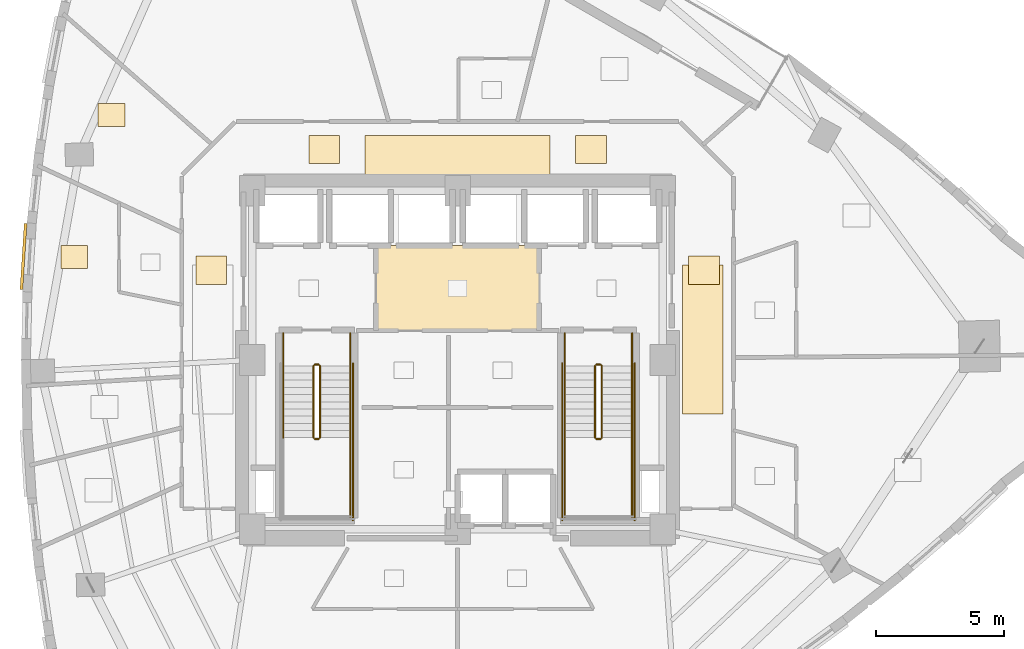
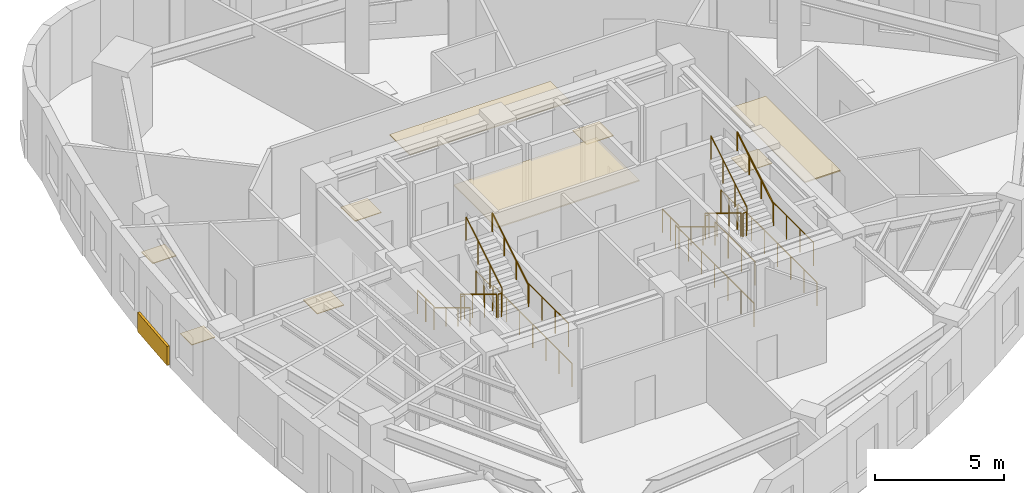
# One storey, part 13 of 14: 22 railings, 10 coverings.
"""IFC4 building model written with IfcOpenShell, lengths in metres."""

from ifc_helpers import new_model, si_unit, direction, frame, origin, origin_2d, place, context, subcontext, project, spatial, rectangle, circle, extrude, material, layer, layer_set, type_object, element, save


model = new_model("IFC4")

# Units and contexts
model_context = context("Model", 3, precision=1e-05, world=origin(), true_north=direction((0.0, 1.0)))
body_context = subcontext(model_context, "Body", "Model", "MODEL_VIEW")
ifc_project = project(units=[si_unit("LENGTHUNIT", "METRE"), si_unit("AREAUNIT", "SQUARE_METRE"), si_unit("VOLUMEUNIT", "CUBIC_METRE"), si_unit("PLANEANGLEUNIT", "RADIAN"), si_unit("MASSUNIT", "GRAM", prefix="KILO")], contexts=[model_context])

# Site, building, storey
site_placement = place(None, origin())
site = spatial("IfcSite", under=ifc_project, at=site_placement, CompositionType="ELEMENT")
building_placement = place(site_placement, origin())
building = spatial("IfcBuilding", under=site, at=building_placement, Name="Ndelora Gate Hotel", CompositionType="ELEMENT")
storey_placement = place(building_placement, frame((0.0, 0.0, 119.75)))
storey = spatial("IfcBuildingStorey", under=building, at=storey_placement, Name="L29", CompositionType="ELEMENT", Elevation=119.75)

# Coverings
ifc_material_1 = material(Name="Perforated Acoustic Gypsum Board", Category="gypsum")
ifc_layer_1 = layer(ifc_material_1, 0.054931640625)
ifc_layer_set_1 = layer_set([ifc_layer_1], Name="Perforated Acoustic Gypsum Board")
covering_type_1 = type_object("IfcCoveringType", Name="COV-CEIL-AC60", PredefinedType="CEILING", material=ifc_layer_set_1)
covering_1_placement = place(storey_placement, frame((0.0, 2.800048828125, 2.72265625), z_axis=(0.0, 0.0, 1.0), x_axis=(1.0, 0.0, 0.0)))
element("IfcCovering", 1, at=covering_1_placement, inside=storey, type_object=covering_type_1, Name="L29 Lift Lobby Acoustic Ceiling", PredefinedType="CEILING", context=body_context, shape_type="SweptSolid", body=[
    extrude(rectangle(XDim=6.39990234375, YDim=3.340087890625, at=origin_2d()), origin(), (0.0, 0.0, 1.0), 0.054931640625),
])
covering_2_placement = place(storey_placement, frame((0.0, 7.9599609375, 2.65234375), z_axis=(0.0, 0.0, 1.0), x_axis=(1.0, 0.0, 0.0)))
element("IfcCovering", 2, at=covering_2_placement, inside=storey, type_object=covering_type_1, Name="L29 Guest Corridor Acoustic Ceiling N", PredefinedType="CEILING", context=body_context, shape_type="SweptSolid", body=[
    extrude(rectangle(XDim=7.199951171875, YDim=1.580078125, at=origin_2d()), origin(), (0.0, 0.0, 1.0), 0.054931640625),
])
covering_3_placement = place(storey_placement, frame((9.550048828125, 0.800048828125, 2.65234375), z_axis=(0.0, 0.0, 1.0), x_axis=(1.0, 0.0, 0.0)))
element("IfcCovering", 3, at=covering_3_placement, inside=storey, type_object=covering_type_1, Name="L29 Guest Corridor Acoustic Ceiling E", PredefinedType="CEILING", context=body_context, shape_type="SweptSolid", body=[
    extrude(rectangle(XDim=1.580078125, YDim=5.800048828125, at=origin_2d()), origin(), (0.0, 0.0, 1.0), 0.054931640625),
])
ifc_material_2 = material(Name="Terracotta Fired Clay Brick Slip Cladding", Category="masonry")
ifc_layer_2 = layer(ifc_material_2, 0.110107421875)
ifc_layer_set_2 = layer_set([ifc_layer_2], Name="Terracotta Fired Clay Brick Slip Cladding")
covering_type_2 = type_object("IfcCoveringType", Name="COV-CLAD-BRK", PredefinedType="CLADDING", material=ifc_layer_set_2)
covering_4_placement = place(storey_placement, frame((-16.9208984375, 4.033203125, 0.10009765625), z_axis=(0.0, 0.0, 1.0), x_axis=(0.063661438132, 0.99797155335, 0.0)))
element("IfcCovering", 4, at=covering_4_placement, inside=storey, type_object=covering_type_2, Name="L29 Rounded-Corner Brick Cladding Band 13", PredefinedType="CLADDING", context=body_context, shape_type="SweptSolid", body=[
    extrude(rectangle(XDim=2.583984375, YDim=0.110107421875, at=origin_2d()), origin(), (0.0, 0.0, 1.0), 0.89990234375),
])
ifc_material_3 = material(Name="Engineered Highland Oak Parquet", Category="wood")
ifc_layer_3 = layer(ifc_material_3, 0.030029296875)
ifc_layer_set_3 = layer_set([ifc_layer_3], Name="Engineered Highland Oak Parquet")
covering_type_3 = type_object("IfcCoveringType", Name="COV-FLR-PARQ", PredefinedType="FLOORING", material=ifc_layer_set_3)
for number, where, z_axis, x_axis, name in (
    (5, (-13.49609375, 9.548828125, 0.0), (0.0, 0.0, 1.0), (1.0, 0.0, 0.0), "L29 Butler Finishing Kitchen Oak Parquet Flooring"),
    (6, (-14.9443359375, 4.015869140625, 0.0), (0.0, 0.0, 1.0), (1.0, 0.0, 0.0), "L29 Club Superior Guest Room 3206 Oak Parquet Flooring"),
):
    element("IfcCovering", number, at=place(storey_placement, frame(where, z_axis=z_axis, x_axis=x_axis)), inside=storey, type_object=covering_type_3, Name=name, PredefinedType="FLOORING", context=body_context, shape_type="SweptSolid", body=[
        extrude(rectangle(XDim=1.050048828125, YDim=0.89990234375, at=origin_2d()), origin(), (0.0, 0.0, 1.0), 0.030029296875),
    ])
ifc_material_4 = material(Name="Polished Highland Stone Terrazzo", Category="masonry")
ifc_layer_4 = layer(ifc_material_4, 0.034912109375)
ifc_layer_set_4 = layer_set([ifc_layer_4], Name="Polished Highland Stone Terrazzo")
covering_type_4 = type_object("IfcCoveringType", Name="COV-FLR-TERZ", PredefinedType="FLOORING", material=ifc_layer_set_4)
for number, where, z_axis, x_axis, name in (
    (7, (-5.199951171875, 8.199951171875, 0.0), (0.0, 0.0, 1.0), (1.0, 0.0, 0.0), "L29 Corridor Threshold Terrazzo Inlay NW"),
    (8, (5.199951171875, 8.199951171875, 0.0), (0.0, 0.0, 1.0), (1.0, 0.0, 0.0), "L29 Corridor Threshold Terrazzo Inlay NE"),
    (9, (-9.60009765625, 3.5, 0.0), (0.0, 0.0, 1.0), (1.0, 0.0, 0.0), "L29 Corridor Threshold Terrazzo Inlay W"),
    (10, (9.60009765625, 3.5, 0.0), (0.0, 0.0, 1.0), (1.0, 0.0, 0.0), "L29 Corridor Threshold Terrazzo Inlay E"),
):
    element("IfcCovering", number, at=place(storey_placement, frame(where, z_axis=z_axis, x_axis=x_axis)), inside=storey, type_object=covering_type_4, Name=name, PredefinedType="FLOORING", context=body_context, shape_type="SweptSolid", body=[
        extrude(rectangle(XDim=1.199951171875, YDim=1.10009765625, at=origin_2d()), origin(), (0.0, 0.0, 1.0), 0.034912109375),
    ])

# Railings
ifc_material_5 = material(Name="Painted Galvanized Steel Balustrade", Category="steel")
ifc_layer_5 = layer(ifc_material_5, 0.06005859375)
ifc_layer_set_5 = layer_set([ifc_layer_5], Name="Painted Galvanized Steel Balustrade")
railing_type_1 = type_object("IfcRailingType", Name="RL-STAIR-GD", PredefinedType="GUARDRAIL", material=ifc_layer_set_5)
railing_1_placement = place(storey_placement, frame((-5.6201171875, -0.22998046875, 0.17041015625)))
element("IfcRailing", 11, at=railing_1_placement, inside=storey, type_object=railing_type_1, Name="L29 ST4 stair guard 1", PredefinedType="GUARDRAIL", context=body_context, shape_type="SweptSolid", body=[
    extrude(circle(Radius=0.02392578125, at=origin_2d()), frame((0.0, 0.0, 1.10595703125), z_axis=(0.0, -0.854169791009, 0.51999420009), x_axis=(1.0, 0.0, 0.0)), (0.0, 0.0, 1.0), 3.278076171875),
    extrude(circle(Radius=0.02099609375, at=origin_2d()), origin(), (0.0, 0.0, 1.0), 1.081787109375),
    extrude(circle(Radius=0.02099609375, at=origin_2d()), frame((0.0, -0.933349609375, 0.568115234375)), (0.0, 0.0, 1.0), 1.081787109375),
    extrude(circle(Radius=0.02099609375, at=origin_2d()), frame((0.0, -1.86669921875, 1.136474609375)), (0.0, 0.0, 1.0), 1.081787109375),
    extrude(circle(Radius=0.02099609375, at=origin_2d()), frame((0.0, -2.800048828125, 1.70458984375)), (0.0, 0.0, 1.0), 1.081787109375),
])
railing_2_placement = place(storey_placement, frame((-5.570068359375, -3.080078125, 1.875)))
element("IfcRailing", 12, at=railing_2_placement, inside=storey, type_object=railing_type_1, Name="L29 ST4 stair guard 2", PredefinedType="GUARDRAIL", context=body_context, shape_type="SweptSolid", body=[
    extrude(circle(Radius=0.02392578125, at=origin_2d()), frame((0.0, 0.0, 1.10595703125), z_axis=(1.0, 0.0, 0.0), x_axis=(0.0, 1.0, 0.0)), (0.0, 0.0, 1.0), 0.16015625),
    extrude(circle(Radius=0.02099609375, at=origin_2d()), origin(), (0.0, 0.0, 1.0), 1.081787109375),
    extrude(circle(Radius=0.02099609375, at=origin_2d()), frame((0.16015625, 0.0, 0.0)), (0.0, 0.0, 1.0), 1.081787109375),
])
railing_3_placement = place(storey_placement, frame((-4.179931640625, -3.030029296875, 1.875)))
element("IfcRailing", 13, at=railing_3_placement, inside=storey, type_object=railing_type_1, Name="L29 ST4 stair guard 4", PredefinedType="GUARDRAIL", context=body_context, shape_type="SweptSolid", body=[
    extrude(circle(Radius=0.02392578125, at=origin_2d()), frame((0.0, 0.0, 1.10595703125), z_axis=(0.0, -1.0, 0.0), x_axis=(1.0, 0.0, 0.0)), (0.0, 0.0, 1.0), 3.119873046875),
    extrude(circle(Radius=0.02099609375, at=origin_2d()), origin(), (0.0, 0.0, 1.0), 1.081787109375),
    extrude(circle(Radius=0.02099609375, at=origin_2d()), frame((0.0, -1.0400390625, 0.0)), (0.0, 0.0, 1.0), 1.081787109375),
    extrude(circle(Radius=0.02099609375, at=origin_2d()), frame((0.0, -2.079833984375, 0.0)), (0.0, 0.0, 1.0), 1.081787109375),
    extrude(circle(Radius=0.02099609375, at=origin_2d()), frame((0.0, -3.119873046875, 0.0)), (0.0, 0.0, 1.0), 1.081787109375),
])
railing_4_placement = place(storey_placement, frame((-5.360107421875, -3.030029296875, 2.04541015625)))
element("IfcRailing", 14, at=railing_4_placement, inside=storey, type_object=railing_type_1, Name="L29 ST4 stair guard 6", PredefinedType="GUARDRAIL", context=body_context, shape_type="SweptSolid", body=[
    extrude(circle(Radius=0.02392578125, at=origin_2d()), frame((0.0, 0.0, 1.10595703125), z_axis=(0.0, 0.854169791009, 0.51999420009), x_axis=(-1.0, 0.0, 0.0)), (0.0, 0.0, 1.0), 3.278076171875),
    extrude(circle(Radius=0.02099609375, at=origin_2d()), origin(), (0.0, 0.0, 1.0), 1.081787109375),
    extrude(circle(Radius=0.02099609375, at=origin_2d()), frame((0.0, 0.933349609375, 0.568115234375)), (0.0, 0.0, 1.0), 1.081787109375),
    extrude(circle(Radius=0.02099609375, at=origin_2d()), frame((0.0, 1.86669921875, 1.136474609375)), (0.0, 0.0, 1.0), 1.081787109375),
    extrude(circle(Radius=0.02099609375, at=origin_2d()), frame((0.0, 2.800048828125, 1.70458984375)), (0.0, 0.0, 1.0), 1.081787109375),
])
railing_5_placement = place(storey_placement, frame((-5.570068359375, -0.179931640625, 0.0)))
element("IfcRailing", 15, at=railing_5_placement, inside=storey, type_object=railing_type_1, Name="L29 ST4 stair guard 7", PredefinedType="GUARDRAIL", context=body_context, shape_type="SweptSolid", body=[
    extrude(circle(Radius=0.02392578125, at=origin_2d()), frame((0.0, 0.0, 1.10595703125), z_axis=(1.0, 0.0, 0.0), x_axis=(0.0, 1.0, 0.0)), (0.0, 0.0, 1.0), 0.16015625),
    extrude(circle(Radius=0.02099609375, at=origin_2d()), origin(), (0.0, 0.0, 1.0), 1.081787109375),
    extrude(circle(Radius=0.02099609375, at=origin_2d()), frame((0.16015625, 0.0, 0.0)), (0.0, 0.0, 1.0), 1.081787109375),
])
for number, where, name in (
    (16, (-6.800048828125, 1.050048828125, 0.0), "L29 ST4 stair guard 8"),
    (17, (-4.179931640625, 1.050048828125, 0.0), "L29 ST4 stair guard 9"),
):
    element("IfcRailing", number, at=place(storey_placement, frame(where)), inside=storey, type_object=railing_type_1, Name=name, PredefinedType="GUARDRAIL", context=body_context, shape_type="SweptSolid", body=[
        extrude(circle(Radius=0.02392578125, at=origin_2d()), frame((0.0, 0.0, 1.10595703125), z_axis=(0.0, -1.0, 0.0), x_axis=(1.0, 0.0, 0.0)), (0.0, 0.0, 1.0), 1.280029296875),
        extrude(circle(Radius=0.02099609375, at=origin_2d()), origin(), (0.0, 0.0, 1.0), 1.081787109375),
        extrude(circle(Radius=0.02099609375, at=origin_2d()), frame((0.0, -0.64013671875, 0.0)), (0.0, 0.0, 1.0), 1.081787109375),
        extrude(circle(Radius=0.02099609375, at=origin_2d()), frame((0.0, -1.280029296875, 0.0)), (0.0, 0.0, 1.0), 1.081787109375),
    ])
railing_6_placement = place(storey_placement, frame((-4.080078125, -0.1298828125, 0.0)))
element("IfcRailing", 18, at=railing_6_placement, inside=storey, type_object=railing_type_1, Name="L29 ST4 stair guard 11", PredefinedType="GUARDRAIL", context=body_context, shape_type="SweptSolid", body=[
    extrude(circle(Radius=0.02392578125, at=origin_2d()), frame((0.0, 0.0, 1.10595703125), z_axis=(0.0, -1.0, 0.0), x_axis=(1.0, 0.0, 0.0)), (0.0, 0.0, 1.0), 6.1201171875),
    extrude(circle(Radius=0.02099609375, at=origin_2d()), origin(), (0.0, 0.0, 1.0), 1.081787109375),
    extrude(circle(Radius=0.02099609375, at=origin_2d()), frame((0.0, -1.02001953125, 0.0)), (0.0, 0.0, 1.0), 1.081787109375),
    extrude(circle(Radius=0.02099609375, at=origin_2d()), frame((0.0, -2.0400390625, 0.0)), (0.0, 0.0, 1.0), 1.081787109375),
    extrude(circle(Radius=0.02099609375, at=origin_2d()), frame((0.0, -3.06005859375, 0.0)), (0.0, 0.0, 1.0), 1.081787109375),
    extrude(circle(Radius=0.02099609375, at=origin_2d()), frame((0.0, -4.080078125, 0.0)), (0.0, 0.0, 1.0), 1.081787109375),
    extrude(circle(Radius=0.02099609375, at=origin_2d()), frame((0.0, -5.10009765625, 0.0)), (0.0, 0.0, 1.0), 1.081787109375),
    extrude(circle(Radius=0.02099609375, at=origin_2d()), frame((0.0, -6.1201171875, 0.0)), (0.0, 0.0, 1.0), 1.081787109375),
])
railing_7_placement = place(storey_placement, frame((5.360107421875, -0.22998046875, 0.17041015625)))
element("IfcRailing", 19, at=railing_7_placement, inside=storey, type_object=railing_type_1, Name="L29 ST5 stair guard 1", PredefinedType="GUARDRAIL", context=body_context, shape_type="SweptSolid", body=[
    extrude(circle(Radius=0.02392578125, at=origin_2d()), frame((0.0, 0.0, 1.10595703125), z_axis=(0.0, -0.854169791009, 0.51999420009), x_axis=(1.0, 0.0, 0.0)), (0.0, 0.0, 1.0), 3.278076171875),
    extrude(circle(Radius=0.02099609375, at=origin_2d()), origin(), (0.0, 0.0, 1.0), 1.081787109375),
    extrude(circle(Radius=0.02099609375, at=origin_2d()), frame((0.0, -0.933349609375, 0.568115234375)), (0.0, 0.0, 1.0), 1.081787109375),
    extrude(circle(Radius=0.02099609375, at=origin_2d()), frame((0.0, -1.86669921875, 1.136474609375)), (0.0, 0.0, 1.0), 1.081787109375),
    extrude(circle(Radius=0.02099609375, at=origin_2d()), frame((0.0, -2.800048828125, 1.70458984375)), (0.0, 0.0, 1.0), 1.081787109375),
])
railing_8_placement = place(storey_placement, frame((5.409912109375, -3.080078125, 1.875)))
element("IfcRailing", 20, at=railing_8_placement, inside=storey, type_object=railing_type_1, Name="L29 ST5 stair guard 2", PredefinedType="GUARDRAIL", context=body_context, shape_type="SweptSolid", body=[
    extrude(circle(Radius=0.02392578125, at=origin_2d()), frame((0.0, 0.0, 1.10595703125), z_axis=(1.0, 0.0, 0.0), x_axis=(0.0, 1.0, 0.0)), (0.0, 0.0, 1.0), 0.16015625),
    extrude(circle(Radius=0.02099609375, at=origin_2d()), origin(), (0.0, 0.0, 1.0), 1.081787109375),
    extrude(circle(Radius=0.02099609375, at=origin_2d()), frame((0.16015625, 0.0, 0.0)), (0.0, 0.0, 1.0), 1.081787109375),
])
for number, where, name in (
    (21, (4.179931640625, -3.030029296875, 1.875), "L29 ST5 stair guard 3"),
    (22, (6.800048828125, -3.030029296875, 1.875), "L29 ST5 stair guard 4"),
):
    element("IfcRailing", number, at=place(storey_placement, frame(where)), inside=storey, type_object=railing_type_1, Name=name, PredefinedType="GUARDRAIL", context=body_context, shape_type="SweptSolid", body=[
        extrude(circle(Radius=0.02392578125, at=origin_2d()), frame((0.0, 0.0, 1.10595703125), z_axis=(0.0, -1.0, 0.0), x_axis=(1.0, 0.0, 0.0)), (0.0, 0.0, 1.0), 3.119873046875),
        extrude(circle(Radius=0.02099609375, at=origin_2d()), origin(), (0.0, 0.0, 1.0), 1.081787109375),
        extrude(circle(Radius=0.02099609375, at=origin_2d()), frame((0.0, -1.0400390625, 0.0)), (0.0, 0.0, 1.0), 1.081787109375),
        extrude(circle(Radius=0.02099609375, at=origin_2d()), frame((0.0, -2.079833984375, 0.0)), (0.0, 0.0, 1.0), 1.081787109375),
        extrude(circle(Radius=0.02099609375, at=origin_2d()), frame((0.0, -3.119873046875, 0.0)), (0.0, 0.0, 1.0), 1.081787109375),
    ])
railing_9_placement = place(storey_placement, frame((5.6201171875, -3.030029296875, 2.04541015625)))
element("IfcRailing", 23, at=railing_9_placement, inside=storey, type_object=railing_type_1, Name="L29 ST5 stair guard 6", PredefinedType="GUARDRAIL", context=body_context, shape_type="SweptSolid", body=[
    extrude(circle(Radius=0.02392578125, at=origin_2d()), frame((0.0, 0.0, 1.10595703125), z_axis=(0.0, 0.854169791009, 0.51999420009), x_axis=(-1.0, 0.0, 0.0)), (0.0, 0.0, 1.0), 3.278076171875),
    extrude(circle(Radius=0.02099609375, at=origin_2d()), origin(), (0.0, 0.0, 1.0), 1.081787109375),
    extrude(circle(Radius=0.02099609375, at=origin_2d()), frame((0.0, 0.933349609375, 0.568115234375)), (0.0, 0.0, 1.0), 1.081787109375),
    extrude(circle(Radius=0.02099609375, at=origin_2d()), frame((0.0, 1.86669921875, 1.136474609375)), (0.0, 0.0, 1.0), 1.081787109375),
    extrude(circle(Radius=0.02099609375, at=origin_2d()), frame((0.0, 2.800048828125, 1.70458984375)), (0.0, 0.0, 1.0), 1.081787109375),
])
railing_10_placement = place(storey_placement, frame((5.409912109375, -0.179931640625, 0.0)))
element("IfcRailing", 24, at=railing_10_placement, inside=storey, type_object=railing_type_1, Name="L29 ST5 stair guard 7", PredefinedType="GUARDRAIL", context=body_context, shape_type="SweptSolid", body=[
    extrude(circle(Radius=0.02392578125, at=origin_2d()), frame((0.0, 0.0, 1.10595703125), z_axis=(1.0, 0.0, 0.0), x_axis=(0.0, 1.0, 0.0)), (0.0, 0.0, 1.0), 0.16015625),
    extrude(circle(Radius=0.02099609375, at=origin_2d()), origin(), (0.0, 0.0, 1.0), 1.081787109375),
    extrude(circle(Radius=0.02099609375, at=origin_2d()), frame((0.16015625, 0.0, 0.0)), (0.0, 0.0, 1.0), 1.081787109375),
])
for number, where, name in (
    (25, (4.179931640625, 1.050048828125, 0.0), "L29 ST5 stair guard 8"),
    (26, (6.800048828125, 1.050048828125, 0.0), "L29 ST5 stair guard 9"),
):
    element("IfcRailing", number, at=place(storey_placement, frame(where)), inside=storey, type_object=railing_type_1, Name=name, PredefinedType="GUARDRAIL", context=body_context, shape_type="SweptSolid", body=[
        extrude(circle(Radius=0.02392578125, at=origin_2d()), frame((0.0, 0.0, 1.10595703125), z_axis=(0.0, -1.0, 0.0), x_axis=(1.0, 0.0, 0.0)), (0.0, 0.0, 1.0), 1.280029296875),
        extrude(circle(Radius=0.02099609375, at=origin_2d()), origin(), (0.0, 0.0, 1.0), 1.081787109375),
        extrude(circle(Radius=0.02099609375, at=origin_2d()), frame((0.0, -0.64013671875, 0.0)), (0.0, 0.0, 1.0), 1.081787109375),
        extrude(circle(Radius=0.02099609375, at=origin_2d()), frame((0.0, -1.280029296875, 0.0)), (0.0, 0.0, 1.0), 1.081787109375),
    ])
for number, where, name in (
    (27, (4.080078125, -0.1298828125, 0.0), "L29 ST5 stair guard 10"),
    (28, (6.89990234375, -0.1298828125, 0.0), "L29 ST5 stair guard 11"),
):
    element("IfcRailing", number, at=place(storey_placement, frame(where)), inside=storey, type_object=railing_type_1, Name=name, PredefinedType="GUARDRAIL", context=body_context, shape_type="SweptSolid", body=[
        extrude(circle(Radius=0.02392578125, at=origin_2d()), frame((0.0, 0.0, 1.10595703125), z_axis=(0.0, -1.0, 0.0), x_axis=(1.0, 0.0, 0.0)), (0.0, 0.0, 1.0), 6.1201171875),
        extrude(circle(Radius=0.02099609375, at=origin_2d()), origin(), (0.0, 0.0, 1.0), 1.081787109375),
        extrude(circle(Radius=0.02099609375, at=origin_2d()), frame((0.0, -1.02001953125, 0.0)), (0.0, 0.0, 1.0), 1.081787109375),
        extrude(circle(Radius=0.02099609375, at=origin_2d()), frame((0.0, -2.0400390625, 0.0)), (0.0, 0.0, 1.0), 1.081787109375),
        extrude(circle(Radius=0.02099609375, at=origin_2d()), frame((0.0, -3.06005859375, 0.0)), (0.0, 0.0, 1.0), 1.081787109375),
        extrude(circle(Radius=0.02099609375, at=origin_2d()), frame((0.0, -4.080078125, 0.0)), (0.0, 0.0, 1.0), 1.081787109375),
        extrude(circle(Radius=0.02099609375, at=origin_2d()), frame((0.0, -5.10009765625, 0.0)), (0.0, 0.0, 1.0), 1.081787109375),
        extrude(circle(Radius=0.02099609375, at=origin_2d()), frame((0.0, -6.1201171875, 0.0)), (0.0, 0.0, 1.0), 1.081787109375),
    ])
ifc_material_6 = material(Name="Brushed Stainless Steel 316", Category="steel")
ifc_layer_6 = layer(ifc_material_6, 0.050048828125)
ifc_layer_set_6 = layer_set([ifc_layer_6], Name="Brushed Stainless Steel 316")
railing_type_2 = type_object("IfcRailingType", Name="RL-STAIR-HR", PredefinedType="HANDRAIL", material=ifc_layer_set_6)
railing_11_placement = place(storey_placement, frame((-6.800048828125, -0.22998046875, 0.17041015625)))
element("IfcRailing", 29, at=railing_11_placement, inside=storey, type_object=railing_type_2, Name="L29 ST4 stair handrail 1", PredefinedType="HANDRAIL", context=body_context, shape_type="SweptSolid", body=[
    extrude(circle(Radius=0.02392578125, at=origin_2d()), frame((0.0, 0.0, 0.8759765625), z_axis=(0.0, -0.854169791009, 0.51999420009), x_axis=(1.0, 0.0, 0.0)), (0.0, 0.0, 1.0), 3.278076171875),
    extrude(circle(Radius=0.02099609375, at=origin_2d()), origin(), (0.0, 0.0, 1.0), 0.851806640625),
    extrude(circle(Radius=0.02099609375, at=origin_2d()), frame((0.0, -0.933349609375, 0.568115234375)), (0.0, 0.0, 1.0), 0.851806640625),
    extrude(circle(Radius=0.02099609375, at=origin_2d()), frame((0.0, -1.86669921875, 1.136474609375)), (0.0, 0.0, 1.0), 0.851806640625),
    extrude(circle(Radius=0.02099609375, at=origin_2d()), frame((0.0, -2.800048828125, 1.70458984375)), (0.0, 0.0, 1.0), 0.851806640625),
])
railing_12_placement = place(storey_placement, frame((-4.179931640625, -3.030029296875, 2.04541015625)))
element("IfcRailing", 30, at=railing_12_placement, inside=storey, type_object=railing_type_2, Name="L29 ST4 stair handrail 2", PredefinedType="HANDRAIL", context=body_context, shape_type="SweptSolid", body=[
    extrude(circle(Radius=0.02392578125, at=origin_2d()), frame((0.0, 0.0, 0.8759765625), z_axis=(0.0, 0.854169791009, 0.51999420009), x_axis=(-1.0, 0.0, 0.0)), (0.0, 0.0, 1.0), 3.278076171875),
    extrude(circle(Radius=0.02099609375, at=origin_2d()), origin(), (0.0, 0.0, 1.0), 0.851806640625),
    extrude(circle(Radius=0.02099609375, at=origin_2d()), frame((0.0, 0.933349609375, 0.568115234375)), (0.0, 0.0, 1.0), 0.851806640625),
    extrude(circle(Radius=0.02099609375, at=origin_2d()), frame((0.0, 1.86669921875, 1.136474609375)), (0.0, 0.0, 1.0), 0.851806640625),
    extrude(circle(Radius=0.02099609375, at=origin_2d()), frame((0.0, 2.800048828125, 1.70458984375)), (0.0, 0.0, 1.0), 0.851806640625),
])
railing_13_placement = place(storey_placement, frame((4.179931640625, -0.22998046875, 0.17041015625)))
element("IfcRailing", 31, at=railing_13_placement, inside=storey, type_object=railing_type_2, Name="L29 ST5 stair handrail 1", PredefinedType="HANDRAIL", context=body_context, shape_type="SweptSolid", body=[
    extrude(circle(Radius=0.02392578125, at=origin_2d()), frame((0.0, 0.0, 0.8759765625), z_axis=(0.0, -0.854169791009, 0.51999420009), x_axis=(1.0, 0.0, 0.0)), (0.0, 0.0, 1.0), 3.278076171875),
    extrude(circle(Radius=0.02099609375, at=origin_2d()), origin(), (0.0, 0.0, 1.0), 0.851806640625),
    extrude(circle(Radius=0.02099609375, at=origin_2d()), frame((0.0, -0.933349609375, 0.568115234375)), (0.0, 0.0, 1.0), 0.851806640625),
    extrude(circle(Radius=0.02099609375, at=origin_2d()), frame((0.0, -1.86669921875, 1.136474609375)), (0.0, 0.0, 1.0), 0.851806640625),
    extrude(circle(Radius=0.02099609375, at=origin_2d()), frame((0.0, -2.800048828125, 1.70458984375)), (0.0, 0.0, 1.0), 0.851806640625),
])
railing_14_placement = place(storey_placement, frame((6.800048828125, -3.030029296875, 2.04541015625)))
element("IfcRailing", 32, at=railing_14_placement, inside=storey, type_object=railing_type_2, Name="L29 ST5 stair handrail 2", PredefinedType="HANDRAIL", context=body_context, shape_type="SweptSolid", body=[
    extrude(circle(Radius=0.02392578125, at=origin_2d()), frame((0.0, 0.0, 0.8759765625), z_axis=(0.0, 0.854169791009, 0.51999420009), x_axis=(-1.0, 0.0, 0.0)), (0.0, 0.0, 1.0), 3.278076171875),
    extrude(circle(Radius=0.02099609375, at=origin_2d()), origin(), (0.0, 0.0, 1.0), 0.851806640625),
    extrude(circle(Radius=0.02099609375, at=origin_2d()), frame((0.0, 0.933349609375, 0.568115234375)), (0.0, 0.0, 1.0), 0.851806640625),
    extrude(circle(Radius=0.02099609375, at=origin_2d()), frame((0.0, 1.86669921875, 1.136474609375)), (0.0, 0.0, 1.0), 0.851806640625),
    extrude(circle(Radius=0.02099609375, at=origin_2d()), frame((0.0, 2.800048828125, 1.70458984375)), (0.0, 0.0, 1.0), 0.851806640625),
])

save(model, "model.ifc")
